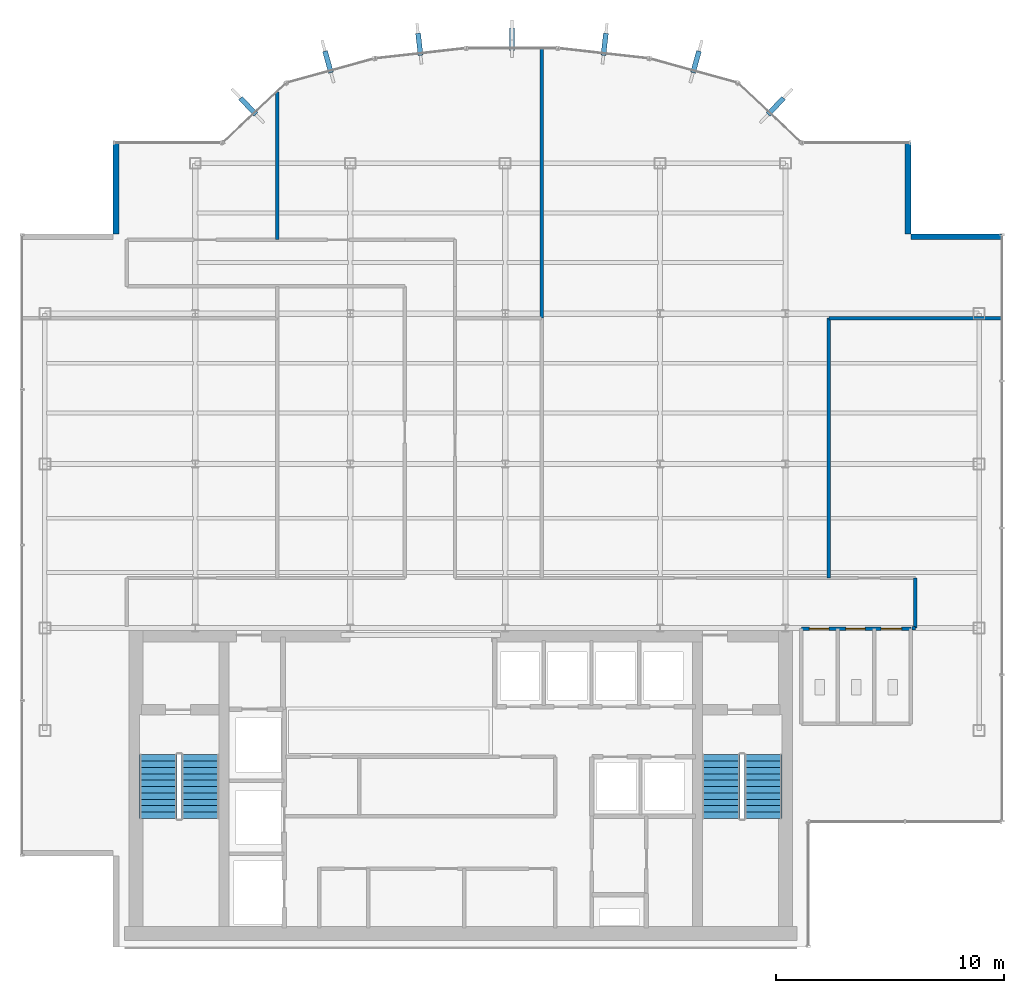
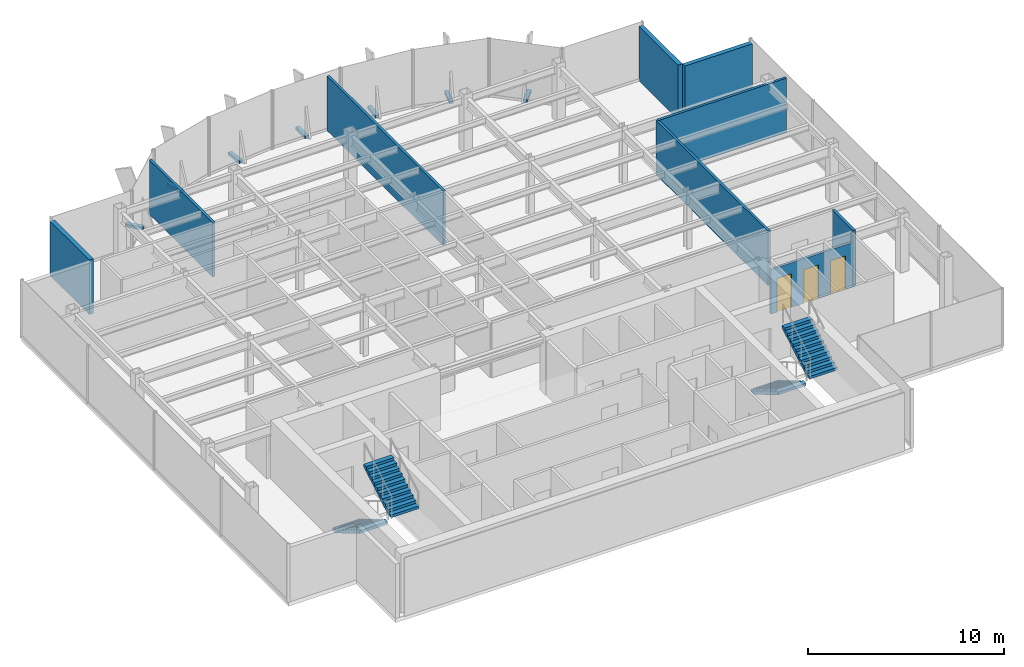
# One storey, part 19 of 22: 10 walls, 7 discrete accessories, 4 stair flights, 3 doors, 3 openings, 2 elements without a shape of their own.
"""IFC4 building model written with IfcOpenShell, lengths in metres."""

import ifcopenshell
import ifcopenshell.guid

model = None  # the IFC model being written
_history = None  # IfcOwnerHistory: only IFC2X3 demands one
_inside = {}  # id of a spatial element -> (the spatial element, [elements in it])
_under = {}  # id of a project, library or spatial element -> (it, [spatial elements below it])
_declared = {}  # id of a project -> (the project, [libraries it declares])
_typed = {}  # id of a type object -> (the type object, [elements of that type])
_made_of = {}  # id of a material, layer set ... -> (it, [elements and type objects made of it])


def new_model(schema):
    """Start an empty IFC model of exactly this schema.

    Asked for "IFC4X3", IfcOpenShell would pick the latest addendum, in which some entities
    have other attributes; the version numbers below select the first issue.
    IFC2X3 requires an IfcOwnerHistory on every rooted entity: one is made here for all.
    """
    global model, _history
    if schema == "IFC4X3":
        model = ifcopenshell.file(schema_version=(4, 3, 0, 0))
    else:
        model = ifcopenshell.file(schema=schema)
    _inside.clear()
    _under.clear()
    _declared.clear()
    _typed.clear()
    _made_of.clear()
    _history = None
    if model.schema == "IFC2X3":
        org = make("IfcOrganization", Name="unknown")
        user = make(
            "IfcPersonAndOrganization",
            ThePerson=make("IfcPerson", FamilyName="unknown"),
            TheOrganization=org,
        )
        app = make(
            "IfcApplication",
            ApplicationDeveloper=org,
            Version="unknown",
            ApplicationFullName="unknown",
            ApplicationIdentifier="unknown",
        )
        _history = make(
            "IfcOwnerHistory",
            OwningUser=user,
            OwningApplication=app,
            ChangeAction="ADDED",
            CreationDate=0,
        )
    return model


def make(cls, **values):
    """One entity of the class cls with the attributes given. An attribute that is None is left unset."""
    return model.create_entity(
        cls, **{name: value for name, value in values.items() if value is not None}
    )


def rooted(cls, **values):
    """An entity with a GlobalId (a new one), such as an element, a storey or a relation."""
    return make(cls, GlobalId=ifcopenshell.guid.new(), OwnerHistory=_history, **values)


def si_unit(unit_type, name, prefix=None):
    """IfcSIUnit, for example si_unit("LENGTHUNIT", "METRE", prefix="MILLI")."""
    return make("IfcSIUnit", UnitType=unit_type, Prefix=prefix, Name=name)


def derived_unit(unit_type, elements):
    """IfcDerivedUnit: a product of units, each with its exponent."""
    return make(
        "IfcDerivedUnit",
        Elements=[
            make("IfcDerivedUnitElement", Unit=unit, Exponent=power)
            for unit, power in elements
        ],
        UnitType=unit_type,
    )


def assignment(units):
    """IfcUnitAssignment: the units of a project."""
    return None if units is None else make("IfcUnitAssignment", Units=units)


def point(xyz):
    """IfcCartesianPoint."""
    return None if xyz is None else make("IfcCartesianPoint", Coordinates=xyz)


def direction(xyz):
    """IfcDirection."""
    return None if xyz is None else make("IfcDirection", DirectionRatios=xyz)


def frame(location, z_axis=None, x_axis=None):
    """IfcAxis2Placement3D, a coordinate frame: its origin and axes. An axis left out is left unset."""
    return make(
        "IfcAxis2Placement3D",
        Location=point(location),
        Axis=direction(z_axis),
        RefDirection=direction(x_axis),
    )


def frame_2d(location, x_axis=None):
    """IfcAxis2Placement2D, a coordinate frame in the plane: its origin and x axis."""
    return make(
        "IfcAxis2Placement2D", Location=point(location), RefDirection=direction(x_axis)
    )


def origin():
    """The frame at (0, 0, 0) with its axes left unset."""
    return frame((0.0, 0.0, 0.0))


def origin_2d():
    """The frame at (0, 0) in the plane with its x axis left unset."""
    return frame_2d((0.0, 0.0))


def place(relative_to, where):
    """IfcLocalPlacement: puts the frame where relative to a parent placement (None: the world)."""
    return make(
        "IfcLocalPlacement", PlacementRelTo=relative_to, RelativePlacement=where
    )


def context(
    kind, dimensions, precision=None, world=None, true_north=None, identifier=None
):
    """IfcGeometricRepresentationContext, for example the 3D "Model" context."""
    return make(
        "IfcGeometricRepresentationContext",
        ContextIdentifier=identifier,
        ContextType=kind,
        CoordinateSpaceDimension=dimensions,
        Precision=precision,
        WorldCoordinateSystem=world,
        TrueNorth=true_north,
    )


def subcontext(parent, identifier, kind, view, scale=None):
    """IfcGeometricRepresentationSubContext, for example "Body" below "Model"."""
    return make(
        "IfcGeometricRepresentationSubContext",
        ContextIdentifier=identifier,
        ContextType=kind,
        ParentContext=parent,
        TargetScale=scale,
        TargetView=view,
    )


def project(units=None, contexts=None):
    """IfcProject with its units and contexts."""
    return rooted(
        "IfcProject",
        Name="project",
        RepresentationContexts=contexts,
        UnitsInContext=assignment(units),
    )


def spatial(cls, under=None, at=None, **own):
    """A site, building, storey or space (cls), placed at a placement, below another one or the project."""
    s = rooted(cls, ObjectPlacement=at, **own)
    if under is not None:
        _under.setdefault(under.id(), (under, []))[1].append(s)
    return s


def polyline(points):
    """IfcPolyline through the points."""
    return make("IfcPolyline", Points=[point(p) for p in points])


def profile(cls, at=None, kind="AREA", **sizes):
    """A parametric profile (cls). Its sizes go by their IFC names, for example OverallWidth=200.0."""
    return make(cls, ProfileType=kind, Position=at, **sizes)


def rectangle(**sizes):
    """IfcRectangleProfileDef."""
    return profile("IfcRectangleProfileDef", **sizes)


def outline(outer, holes=None, kind="AREA"):
    """IfcArbitraryClosedProfileDef: a profile drawn as a closed curve; with holes, ...WithVoids."""
    if holes is None:
        return make("IfcArbitraryClosedProfileDef", ProfileType=kind, OuterCurve=outer)
    return make(
        "IfcArbitraryProfileDefWithVoids",
        ProfileType=kind,
        OuterCurve=outer,
        InnerCurves=holes,
    )


def extrude(swept, where, along, depth):
    """IfcExtrudedAreaSolid: the profile swept, set in the frame where, extruded along a direction by depth."""
    return make(
        "IfcExtrudedAreaSolid",
        SweptArea=swept,
        Position=where,
        ExtrudedDirection=direction(along),
        Depth=depth,
    )


def shape(context_of_items, identifier, shape_type, items):
    """IfcShapeRepresentation: the items that make up one representation, for example the "Body"."""
    return make(
        "IfcShapeRepresentation",
        ContextOfItems=context_of_items,
        RepresentationIdentifier=identifier,
        RepresentationType=shape_type,
        Items=items,
    )


def source(mapping_origin, context_of_items, identifier, shape_type, items):
    """IfcRepresentationMap: a shape defined once, which mapped items show again and again."""
    return make(
        "IfcRepresentationMap",
        MappingOrigin=mapping_origin,
        MappedRepresentation=shape(context_of_items, identifier, shape_type, items),
    )


def transform(
    local_origin,
    x_axis=None,
    y_axis=None,
    z_axis=None,
    scale=None,
    scale2=None,
    scale3=None,
    uniform=True,
):
    """IfcCartesianTransformationOperator3D, or its non-uniform kind. x_axis, y_axis, z_axis: its Axis1, 2, 3."""
    if uniform:
        return make(
            "IfcCartesianTransformationOperator3D",
            Axis1=direction(x_axis),
            Axis2=direction(y_axis),
            LocalOrigin=point(local_origin),
            Scale=scale,
            Axis3=direction(z_axis),
        )
    return make(
        "IfcCartesianTransformationOperator3DnonUniform",
        Axis1=direction(x_axis),
        Axis2=direction(y_axis),
        LocalOrigin=point(local_origin),
        Scale=scale,
        Axis3=direction(z_axis),
        Scale2=scale2,
        Scale3=scale3,
    )


def mapped(mapping_source, mapping_target):
    """IfcMappedItem: shows the shape of a source again, moved by a transform."""
    return make(
        "IfcMappedItem", MappingSource=mapping_source, MappingTarget=mapping_target
    )


def material(Name=None, Category=None):
    """IfcMaterial."""
    return make("IfcMaterial", Name=Name, Category=Category)


def layer(
    of_material, thickness, ventilated=None, Name=None, Category=None, Priority=None
):
    """IfcMaterialLayer: one layer of a wall or slab, of a material (None: an air gap)."""
    return make(
        "IfcMaterialLayer",
        Material=of_material,
        LayerThickness=thickness,
        IsVentilated=ventilated,
        Name=Name,
        Category=Category,
        Priority=Priority,
    )


def layer_set(layers, Name=None):
    """IfcMaterialLayerSet."""
    return make("IfcMaterialLayerSet", MaterialLayers=layers, LayerSetName=Name)


def made_of(thing, what):
    """Note that an element or type object is made of a material, layer set ...; save() writes the relation."""
    if what is not None:
        _made_of.setdefault(what.id(), (what, []))[1].append(thing)
    return thing


def type_object(cls, material=None, **own):
    """A type object (cls), such as IfcWallType, which elements share."""
    return made_of(rooted(cls, **own), material)


def element(
    cls,
    number,
    at=None,
    inside=None,
    cuts=None,
    type_object=None,
    material=None,
    context=None,
    identifier="Body",
    shape_type=None,
    held_by="IfcProductDefinitionShape",
    body=None,
    shapes=None,
    **own,
):
    """One element of the class cls, such as IfcWall. Its Tag is "e" and its number.

    at: its placement. inside: the storey or other place that contains it. cuts: it is an
    opening in that element (IfcRelVoidsElement). A single representation is given by context,
    identifier, shape_type and body (its items); several are given by shapes. held_by: the class
    of the entity that holds the representations. save() writes the other relations.
    """
    e = rooted(cls, Tag="e%d" % number, ObjectPlacement=at, **own)
    if body is not None:
        shapes = [shape(context, identifier, shape_type, body)]
    if shapes is not None:
        e.Representation = make(held_by, Representations=shapes)
    if inside is not None:
        _inside.setdefault(inside.id(), (inside, []))[1].append(e)
    if cuts is not None:
        rooted(
            "IfcRelVoidsElement", RelatingBuildingElement=cuts, RelatedOpeningElement=e
        )
    if type_object is not None:
        _typed.setdefault(type_object.id(), (type_object, []))[1].append(e)
    return made_of(e, material)


def fill(opening, filler):
    """IfcRelFillsElement: the door or window that sits in an opening."""
    return rooted(
        "IfcRelFillsElement",
        RelatingOpeningElement=opening,
        RelatedBuildingElement=filler,
    )


def aggregate(whole, parts):
    """IfcRelAggregates: a whole, such as a stair, and the parts it consists of."""
    return rooted("IfcRelAggregates", RelatingObject=whole, RelatedObjects=parts)


def save(model, path):
    """Write the relations noted so far, then the file.

    IfcRelAggregates (storeys below a building ...), IfcRelContainedInSpatialStructure (elements
    in a storey), IfcRelDefinesByType, IfcRelAssociatesMaterial and IfcRelDeclares: one each for
    every whole, place, type object, material and project.
    """
    for whole, parts in _under.values():
        aggregate(whole, parts)
    for where, things in _inside.values():
        rooted(
            "IfcRelContainedInSpatialStructure",
            RelatedElements=things,
            RelatingStructure=where,
        )
    for kind, things in _typed.values():
        rooted("IfcRelDefinesByType", RelatedObjects=things, RelatingType=kind)
    for what, things in _made_of.values():
        rooted("IfcRelAssociatesMaterial", RelatedObjects=things, RelatingMaterial=what)
    for by, libraries in _declared.values():
        rooted("IfcRelDeclares", RelatingContext=by, RelatedDefinitions=libraries)
    model.write(path)


model = new_model("IFC4")

# Units and contexts
model_context = context("Model", 3, precision=1e-05, world=origin(), true_north=direction((0.0, 1.0)))
body_context = subcontext(model_context, "Body", "Model", "MODEL_VIEW")
ifc_project = project(units=[si_unit("LENGTHUNIT", "METRE"), si_unit("AREAUNIT", "SQUARE_METRE"), si_unit("VOLUMEUNIT", "CUBIC_METRE"), si_unit("PLANEANGLEUNIT", "RADIAN"), si_unit("MASSUNIT", "GRAM", prefix="KILO"), derived_unit("THERMALTRANSMITTANCEUNIT", [(si_unit("POWERUNIT", "WATT"), 1), (si_unit("LENGTHUNIT", "METRE"), -2), (si_unit("THERMODYNAMICTEMPERATUREUNIT", "KELVIN"), -1)])], contexts=[model_context])

# Site, building, storey
site_placement = place(None, origin())
site = spatial("IfcSite", under=ifc_project, at=site_placement, CompositionType="ELEMENT")
building_placement = place(site_placement, origin())
building = spatial("IfcBuilding", under=site, at=building_placement, Name="Skarnbrae Concourse Arena and Tower", CompositionType="ELEMENT")
storey_placement = place(building_placement, frame((0.0, 0.0, 192.25)))
storey = spatial("IfcBuildingStorey", under=building, at=storey_placement, Name="L49", CompositionType="ELEMENT", Elevation=192.25)

# Walls
ifc_material_1 = material(Name="Precast concrete 40 MPa (C40/50)", Category="concrete")
ifc_layer_1 = layer(ifc_material_1, 0.25)
ifc_layer_set_1 = layer_set([ifc_layer_1], Name="Precast concrete 40 MPa (C40/50)")
wall_type_1 = type_object("IfcWallType", Name="WALL-EXT-SPANDREL-250", PredefinedType="STANDARD", material=ifc_layer_set_1)
shared_shape_1 = source(origin(), body_context, "Body", "SweptSolid", [
    extrude(rectangle(XDim=4.0, YDim=0.25, at=frame_2d((2.0, 0.0))), origin(), (0.0, 0.0, 1.0), 3.39990234375),
])
for number, where, z_axis, x_axis, name in (
    (1, (43.0, 31.175048828125, 0.0), (0.0, 0.0, 1.0), (-1.0, 0.0, 0.0), "L49 Notched corner insulated return wall 05"),
    (2, (38.875, 31.300048828125, 0.0), (0.0, 0.0, 1.0), (0.0, 1.0, 0.0), "L49 Notched corner insulated return wall 06"),
    (3, (4.125, 35.300048828125, 0.0), (0.0, 0.0, 1.0), (0.0, -1.0, 0.0), "L49 Notched corner insulated return wall 16"),
):
    element("IfcWall", number, at=place(storey_placement, frame(where, z_axis=z_axis, x_axis=x_axis)), inside=storey, type_object=wall_type_1, Name=name, PredefinedType="STANDARD", context=body_context, shape_type="MappedRepresentation", body=[
        mapped(shared_shape_1, transform((0.0, 0.0, 0.0))),
    ])
ifc_material_2 = material(Name="Gypsum board on cold-formed steel studs", Category="steel")
ifc_layer_2 = layer(ifc_material_2, 0.14990234375)
ifc_layer_set_2 = layer_set([ifc_layer_2], Name="Gypsum board on cold-formed steel studs")
wall_type_2 = type_object("IfcWallType", Name="WALL-PART-150-1HR", PredefinedType="PARTITIONING", material=ifc_layer_set_2)
shared_shape_2 = source(origin(), body_context, "Body", "SweptSolid", [
    extrude(rectangle(XDim=2.199951171875, YDim=0.14990234375, at=frame_2d((1.10009765625, 0.0))), origin(), (0.0, 0.0, 1.0), 3.39990234375),
])
wall_1_placement = place(storey_placement, frame((39.199951171875, 16.199951171875, 0.0), z_axis=(0.0, 0.0, 1.0), x_axis=(0.0, -1.0, 0.0)))
element("IfcWall", 4, at=wall_1_placement, inside=storey, type_object=wall_type_2, Name="L49 Interior partition wall W-L49-COR-11", PredefinedType="PARTITIONING", context=body_context, shape_type="MappedRepresentation", body=[
    mapped(shared_shape_2, transform((0.0, 0.0, 0.0))),
])
shared_shape_3 = source(origin(), body_context, "Body", "SweptSolid", [
    extrude(rectangle(XDim=0.14990234375, YDim=0.14990234375, at=frame_2d((0.074951171875, 0.0))), origin(), (0.0, 0.0, 1.0), 3.39990234375),
])
wall_2_placement = place(storey_placement, frame((39.199951171875, 14.0, 0.0), z_axis=(0.0, 0.0, 1.0), x_axis=(-1.0, 0.0, 0.0)))
element("IfcWall", 5, at=wall_2_placement, inside=storey, type_object=wall_type_2, Name="L49 Interior partition wall W-L49-COR-12", PredefinedType="PARTITIONING", context=body_context, shape_type="MappedRepresentation", body=[
    mapped(shared_shape_3, transform((0.0, 0.0, 0.0))),
])

# Wall, openings, doors
ifc_layer_3 = layer(ifc_material_2, 0.14990234375)
ifc_layer_set_3 = layer_set([ifc_layer_3], Name="Gypsum board on cold-formed steel studs")
wall_type_3 = type_object("IfcWallType", Name="WALL-PART-150", PredefinedType="PARTITIONING", material=ifc_layer_set_3)
shared_shape_4 = source(origin(), body_context, "Body", "SweptSolid", [
    extrude(rectangle(XDim=4.800048828125, YDim=0.14990234375, at=frame_2d((2.39990234375, 0.0))), origin(), (0.0, 0.0, 1.0), 2.787109375),
])
wall_3_placement = place(storey_placement, frame((34.199951171875, 13.97998046875, 0.0), z_axis=(0.0, 0.0, 1.0), x_axis=(1.0, 0.0, 0.0)))
wall_3 = element("IfcWall", 6, at=wall_3_placement, inside=storey, type_object=wall_type_3, Name="L49 Interior partition wall W-L49-WC-N", PredefinedType="PARTITIONING", context=body_context, shape_type="MappedRepresentation", body=[
    mapped(shared_shape_4, transform((0.0, 0.0, 0.0))),
])
opening_1_placement = place(wall_3_placement, frame((0.35009765625, 0.0, 0.0)))
opening_1 = element("IfcOpeningElement", 7, at=opening_1_placement, cuts=wall_3, Name="Opening DT-06", PredefinedType="OPENING", context=body_context, shape_type="SweptSolid", body=[
    extrude(rectangle(XDim=0.85009765625, YDim=2.10009765625, at=frame_2d((0.425048828125, 1.050048828125))), frame((0.0, 0.0849609375, 0.0), z_axis=(0.0, -1.0, 0.0), x_axis=(1.0, 0.0, 0.0)), (0.0, 0.0, 1.0), 0.169921875),
])
opening_2_placement = place(wall_3_placement, frame((1.949951171875, 0.0, 0.0)))
opening_2 = element("IfcOpeningElement", 8, at=opening_2_placement, cuts=wall_3, Name="Opening DT-06", PredefinedType="OPENING", context=body_context, shape_type="SweptSolid", body=[
    extrude(rectangle(XDim=0.85009765625, YDim=2.10009765625, at=frame_2d((0.425048828125, 1.050048828125))), frame((0.0, 0.0849609375, 0.0), z_axis=(0.0, -1.0, 0.0), x_axis=(1.0, 0.0, 0.0)), (0.0, 0.0, 1.0), 0.169921875),
])
opening_3_placement = place(wall_3_placement, frame((3.5, 0.0, 0.0)))
opening_3 = element("IfcOpeningElement", 9, at=opening_3_placement, cuts=wall_3, Name="Opening DT-05", PredefinedType="OPENING", context=body_context, shape_type="SweptSolid", body=[
    extrude(rectangle(XDim=0.89990234375, YDim=2.10009765625, at=frame_2d((0.449951171875, 1.050048828125))), frame((0.0, 0.0849609375, 0.0), z_axis=(0.0, -1.0, 0.0), x_axis=(1.0, 0.0, 0.0)), (0.0, 0.0, 1.0), 0.169921875),
])
ifc_material_3 = material(Name="Architectural oak veneer timber leaf", Category="wood")
door_type_1 = type_object("IfcDoorType", Name="DOOR-INT-850", OperationType="NOTDEFINED", PredefinedType="DOOR", material=ifc_material_3)
shared_shape_5 = source(origin(), body_context, "Body", "SweptSolid", [
    extrude(rectangle(XDim=0.85009765625, YDim=2.10009765625, at=frame_2d((0.425048828125, 1.050048828125))), frame((0.0, 0.02490234375, 0.0), z_axis=(0.0, -1.0, 0.0), x_axis=(1.0, 0.0, 0.0)), (0.0, 0.0, 1.0), 0.050048828125),
])
door_1_placement = place(opening_1_placement, frame((0.85009765625, 0.0, 0.0), z_axis=(0.0, 0.0, 1.0), x_axis=(-1.0, 0.0, 0.0)))
door_1 = element("IfcDoor", 10, at=door_1_placement, inside=storey, type_object=door_type_1, Name="D-1515 Male Washroom Door", OperationType="SINGLE_SWING_LEFT", OverallHeight=2.10009765625, OverallWidth=0.85009765625, PredefinedType="DOOR", context=body_context, shape_type="MappedRepresentation", body=[
    mapped(shared_shape_5, transform((0.0, 0.0, 0.0))),
])
fill(opening_1, door_1)
door_2_placement = place(opening_2_placement, frame((0.85009765625, 0.0, 0.0), z_axis=(0.0, 0.0, 1.0), x_axis=(-1.0, 0.0, 0.0)))
door_2 = element("IfcDoor", 11, at=door_2_placement, inside=storey, type_object=door_type_1, Name="D-1516 Female Washroom Door", OperationType="SINGLE_SWING_RIGHT", OverallHeight=2.10009765625, OverallWidth=0.85009765625, PredefinedType="DOOR", context=body_context, shape_type="MappedRepresentation", body=[
    mapped(shared_shape_5, transform((0.0, 0.0, 0.0))),
])
fill(opening_2, door_2)
door_type_2 = type_object("IfcDoorType", Name="DOOR-INT-900", OperationType="NOTDEFINED", PredefinedType="DOOR", material=ifc_material_3)
shared_shape_6 = source(origin(), body_context, "Body", "SweptSolid", [
    extrude(rectangle(XDim=0.89990234375, YDim=2.10009765625, at=frame_2d((0.449951171875, 1.050048828125))), frame((0.0, 0.02490234375, 0.0), z_axis=(0.0, -1.0, 0.0), x_axis=(1.0, 0.0, 0.0)), (0.0, 0.0, 1.0), 0.050048828125),
])
door_3_placement = place(opening_3_placement, frame((0.89990234375, 0.0, 0.0), z_axis=(0.0, 0.0, 1.0), x_axis=(-1.0, 0.0, 0.0)))
door_3 = element("IfcDoor", 12, at=door_3_placement, inside=storey, type_object=door_type_2, Name="D-1517 Accessible WC Door", OperationType="SINGLE_SWING_LEFT", OverallHeight=2.10009765625, OverallWidth=0.89990234375, PredefinedType="DOOR", context=body_context, shape_type="MappedRepresentation", body=[
    mapped(shared_shape_6, transform((0.0, 0.0, 0.0))),
])
fill(opening_3, door_3)

# Walls
shared_shape_7 = source(origin(), body_context, "Body", "SweptSolid", [
    extrude(rectangle(XDim=11.400146484375, YDim=0.14990234375, at=frame_2d((5.7001953125, 0.0))), origin(), (0.0, 0.0, 1.0), 3.39990234375),
])
wall_4_placement = place(storey_placement, frame((35.39990234375, 27.60009765625, 0.0), z_axis=(0.0, 0.0, 1.0), x_axis=(0.0, -1.0, 0.0)))
element("IfcWall", 13, at=wall_4_placement, inside=storey, type_object=wall_type_3, Name="L49 Interior partition wall W-L49-DEM-21", PredefinedType="PARTITIONING", context=body_context, shape_type="MappedRepresentation", body=[
    mapped(shared_shape_7, transform((0.0, 0.0, 0.0))),
])
shared_shape_8 = source(origin(), body_context, "Body", "SweptSolid", [
    extrude(rectangle(XDim=6.481689453125, YDim=0.14990234375, at=frame_2d((3.24072265625, 0.0))), origin(), (0.0, 0.0, 1.0), 3.39990234375),
])
wall_5_placement = place(storey_placement, frame((11.199951171875, 37.53173828125, 0.0), z_axis=(0.0, 0.0, 1.0), x_axis=(0.0, -1.0, 0.0)))
element("IfcWall", 14, at=wall_5_placement, inside=storey, type_object=wall_type_3, Name="L49 Interior partition wall W-L49-DEM-16", PredefinedType="PARTITIONING", context=body_context, shape_type="MappedRepresentation", body=[
    mapped(shared_shape_8, transform((0.0, 0.0, 0.0))),
])
shared_shape_9 = source(origin(), body_context, "Body", "SweptSolid", [
    extrude(rectangle(XDim=11.82666015625, YDim=0.14990234375, at=frame_2d((5.913330078125, 0.0))), origin(), (0.0, 0.0, 1.0), 3.39990234375),
])
wall_6_placement = place(storey_placement, frame((22.800048828125, 39.4267578125, 0.0), z_axis=(0.0, 0.0, 1.0), x_axis=(0.0, -1.0, 0.0)))
element("IfcWall", 15, at=wall_6_placement, inside=storey, type_object=wall_type_3, Name="L49 Interior partition wall W-L49-DEM-19", PredefinedType="PARTITIONING", context=body_context, shape_type="MappedRepresentation", body=[
    mapped(shared_shape_9, transform((0.0, 0.0, 0.0))),
])
shared_shape_10 = source(origin(), body_context, "Body", "SweptSolid", [
    extrude(rectangle(XDim=7.580078125, YDim=0.14990234375, at=frame_2d((3.7900390625, 0.0))), origin(), (0.0, 0.0, 1.0), 3.39990234375),
])
wall_7_placement = place(storey_placement, frame((42.97998046875, 27.60009765625, 0.0), z_axis=(0.0, 0.0, 1.0), x_axis=(-1.0, 0.0, 0.0)))
element("IfcWall", 16, at=wall_7_placement, inside=storey, type_object=wall_type_3, Name="L49 Interior partition wall W-L49-DEM-20", PredefinedType="PARTITIONING", context=body_context, shape_type="MappedRepresentation", body=[
    mapped(shared_shape_10, transform((0.0, 0.0, 0.0))),
])

# Stair, stair flights
ifc_material_4 = material(Name="Concrete 40 MPa (C40/50)", Category="concrete")
stair_type = type_object("IfcStairType", Name="STAIR-DOGLEG-1650", PredefinedType="HALF_TURN_STAIR", material=ifc_material_4)
stair_1_placement = place(storey_placement, origin())
stair_1 = element("IfcStair", 17, at=stair_1_placement, inside=storey, type_object=stair_type, Name="L49 Protected Exit Stair ST-1", PredefinedType="HALF_TURN_STAIR")
stair_flight_type = type_object("IfcStairFlightType", Name="FLIGHT-STRAIGHT-1650", PredefinedType="STRAIGHT", material=ifc_material_4)
shared_shape_11 = source(origin(), body_context, "Body", "SweptSolid", [
    extrude(outline(polyline([(0.0, 0.0), (0.0, 0.166015625), (0.280029296875, 0.166015625), (0.280029296875, 0.331787109375), (0.56005859375, 0.331787109375), (0.56005859375, 0.497802734375), (0.840087890625, 0.497802734375), (0.840087890625, 0.66357421875), (1.1201171875, 0.66357421875), (1.1201171875, 0.82958984375), (1.39990234375, 0.82958984375), (1.39990234375, 0.995361328125), (1.679931640625, 0.995361328125), (1.679931640625, 1.161376953125), (1.9599609375, 1.161376953125), (1.9599609375, 1.327392578125), (2.239990234375, 1.327392578125), (2.239990234375, 1.4931640625), (2.52001953125, 1.4931640625), (2.52001953125, 1.6591796875), (2.800048828125, 1.6591796875), (2.800048828125, 1.824951171875), (2.800048828125, 1.48486328125), (0.2939453125, 0.0), (0.0, 0.0)])), frame((0.0, 0.824951171875, 0.0), z_axis=(0.0, -1.0, 0.0), x_axis=(1.0, 0.0, 0.0)), (0.0, 0.0, 1.0), 1.64990234375),
])
stair_flight_1_placement = place(storey_placement, frame((5.97509765625, 8.449951171875, 0.0), z_axis=(0.0, 0.0, 1.0), x_axis=(0.0, -1.0, 0.0)))
stair_flight_1 = element("IfcStairFlight", 18, at=stair_flight_1_placement, type_object=stair_flight_type, Name="ST-1 flight 1", NumberOfRisers=11, NumberOfTreads=10, PredefinedType="STRAIGHT", RiserHeight=0.165909091, TreadLength=0.28, context=body_context, shape_type="MappedRepresentation", body=[
    mapped(shared_shape_11, transform((0.0, 0.0, 0.0))),
])
stair_flight_2_placement = place(storey_placement, frame((7.824951171875, 5.64990234375, 1.824951171875), z_axis=(0.0, 0.0, 1.0), x_axis=(0.0, 1.0, 0.0)))
stair_flight_2 = element("IfcStairFlight", 19, at=stair_flight_2_placement, type_object=stair_flight_type, Name="ST-1 flight 2", NumberOfRisers=11, NumberOfTreads=10, PredefinedType="STRAIGHT", RiserHeight=0.165909091, TreadLength=0.28, context=body_context, shape_type="MappedRepresentation", body=[
    mapped(shared_shape_11, transform((0.0, 0.0, 0.0))),
])
aggregate(stair_1, [stair_flight_1, stair_flight_2])

stair_2_placement = place(storey_placement, origin())
stair_2 = element("IfcStair", 20, at=stair_2_placement, inside=storey, type_object=stair_type, Name="L49 Protected Exit Stair ST-2", PredefinedType="HALF_TURN_STAIR")
stair_flight_3_placement = place(storey_placement, frame((30.675048828125, 8.449951171875, 0.0), z_axis=(0.0, 0.0, 1.0), x_axis=(0.0, -1.0, 0.0)))
stair_flight_3 = element("IfcStairFlight", 21, at=stair_flight_3_placement, type_object=stair_flight_type, Name="ST-2 flight 1", NumberOfRisers=11, NumberOfTreads=10, PredefinedType="STRAIGHT", RiserHeight=0.165909091, TreadLength=0.28, context=body_context, shape_type="MappedRepresentation", body=[
    mapped(shared_shape_11, transform((0.0, 0.0, 0.0))),
])
stair_flight_4_placement = place(storey_placement, frame((32.52490234375, 5.64990234375, 1.824951171875), z_axis=(0.0, 0.0, 1.0), x_axis=(0.0, 1.0, 0.0)))
stair_flight_4 = element("IfcStairFlight", 22, at=stair_flight_4_placement, type_object=stair_flight_type, Name="ST-2 flight 2", NumberOfRisers=11, NumberOfTreads=10, PredefinedType="STRAIGHT", RiserHeight=0.165909091, TreadLength=0.28, context=body_context, shape_type="MappedRepresentation", body=[
    mapped(shared_shape_11, transform((0.0, 0.0, 0.0))),
])
aggregate(stair_2, [stair_flight_3, stair_flight_4])

# Discrete accessories
ifc_material_5 = material(Name="Bronze anodised aluminium 6063-T6", Category="aluminium")
discrete_accessory_type = type_object("IfcDiscreteAccessoryType", Name="ACC-FIN-BRACKET", PredefinedType="BRACKET", material=ifc_material_5)
shared_shape_12 = source(origin(), body_context, "Body", "SweptSolid", [
    extrude(rectangle(XDim=0.219970703125, YDim=0.97998046875, at=origin_2d()), origin(), (0.0, 0.0, 1.0), 0.179931640625),
])
for number, where, z_axis, x_axis, name in (
    (23, (33.0791015625, 36.904541015625, -0.02978515625), (0.0, 0.0, 1.0), (0.728131751529, -0.685437198009, 0.0), "L49 Bronze fin foot support bracket 08"),
    (24, (29.573974609375, 38.847412109375, -0.02978515625), (0.0, 0.0, 1.0), (0.964058316208, -0.265690728011, 0.0), "L49 Bronze fin foot support bracket 09"),
    (25, (25.566162109375, 39.619384765625, -0.02978515625), (0.0, 0.0, 1.0), (0.993769864509, -0.111451587667, 0.0), "L49 Bronze fin foot support bracket 10"),
    (26, (21.5, 39.8466796875, -0.02978515625), (0.0, 0.0, 1.0), (1.0, 0.0, 0.0), "L49 Bronze fin foot support bracket 11"),
    (27, (17.433837890625, 39.619384765625, -0.02978515625), (0.0, 0.0, 1.0), (0.993769864509, 0.111451587667, 0.0), "L49 Bronze fin foot support bracket 12"),
    (28, (13.426025390625, 38.847412109375, -0.02978515625), (0.0, 0.0, 1.0), (0.964058316208, 0.265690728011, 0.0), "L49 Bronze fin foot support bracket 13"),
    (29, (9.9208984375, 36.904541015625, -0.02978515625), (0.0, 0.0, 1.0), (0.728131751529, 0.685437198009, 0.0), "L49 Bronze fin foot support bracket 14"),
):
    element("IfcDiscreteAccessory", number, at=place(storey_placement, frame(where, z_axis=z_axis, x_axis=x_axis)), inside=storey, type_object=discrete_accessory_type, Name=name, PredefinedType="BRACKET", context=body_context, shape_type="MappedRepresentation", body=[
        mapped(shared_shape_12, transform((0.0, 0.0, 0.0))),
    ])

save(model, "model.ifc")
